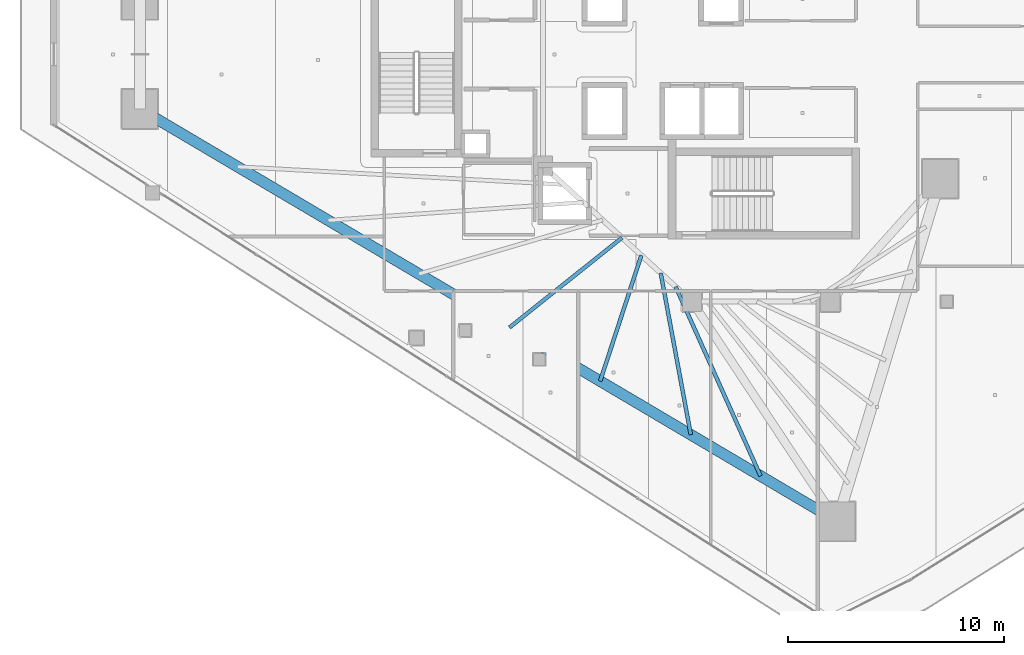
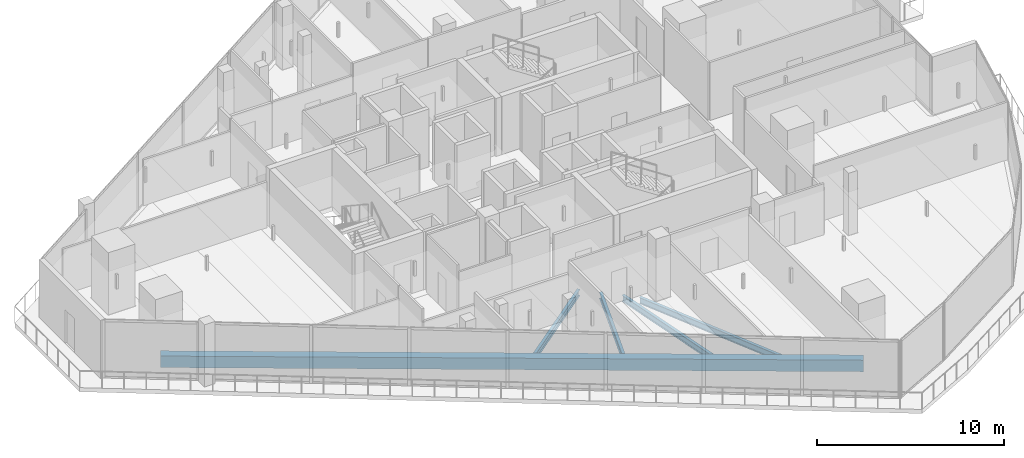
# One storey, part 5 of 33: 5 beams.
"""IFC4 building model written with IfcOpenShell, lengths in metres."""

from ifc_helpers import new_model, si_unit, direction, frame, origin, origin_2d, place, context, subcontext, project, spatial, rectangle, i_section, extrude, material, material_profile, profile_set, type_object, element, save


model = new_model("IFC4")

# Units and contexts
model_context = context("Model", 3, precision=1e-05, world=origin(), true_north=direction((0.0, 1.0)))
body_context = subcontext(model_context, "Body", "Model", "MODEL_VIEW")
ifc_project = project(units=[si_unit("LENGTHUNIT", "METRE"), si_unit("AREAUNIT", "SQUARE_METRE"), si_unit("VOLUMEUNIT", "CUBIC_METRE"), si_unit("PLANEANGLEUNIT", "RADIAN"), si_unit("MASSUNIT", "GRAM", prefix="KILO")], contexts=[model_context])

# Site, building, storey
site_placement = place(None, origin())
site = spatial("IfcSite", under=ifc_project, at=site_placement, CompositionType="ELEMENT")
building_placement = place(site_placement, origin())
building = spatial("IfcBuilding", under=site, at=building_placement, Name="Qorvath Tower", CompositionType="ELEMENT")
storey_placement = place(building_placement, frame((0.0, 0.0, 237.449951171875)))
storey = spatial("IfcBuildingStorey", under=building, at=storey_placement, Name="L55", CompositionType="ELEMENT", Elevation=237.449951171875)

# Beams
ifc_material_1 = material(Name="Steel ASTM A992 Grade 50", Category="steel")
ifc_material_profile_1 = material_profile(ifc_material_1, i_section(OverallWidth=0.177978515625, OverallDepth=0.406005859375, WebThickness=0.0078125, FlangeThickness=0.0126953125, FilletRadius=0.010986328125, at=origin_2d()), Name="W16x40")
ifc_profile_set_1 = profile_set([ifc_material_profile_1], Name="Steel ASTM A992 Grade 50")
beam_type_1 = type_object("IfcBeamType", Name="BM-FJ3", PredefinedType="JOIST", material=ifc_profile_set_1)
beam_1_placement = place(storey_placement, frame((-26.843017578125, -8.489013671875, -0.47314453125), z_axis=(-0.781336553339, -0.624109918537, 0.0), x_axis=(0.624109918537, -0.781336553339, 0.0)))
element("IfcBeam", 1, at=beam_1_placement, inside=storey, type_object=beam_type_1, Name="Composite Floor Joist SW4 L55", PredefinedType="JOIST", context=body_context, shape_type="SweptSolid", body=[
    extrude(i_section(OverallWidth=0.177978515625, OverallDepth=0.406005859375, WebThickness=0.0078125, FlangeThickness=0.0126953125, FilletRadius=0.010986328125, at=origin_2d()), origin(), (0.0, 0.0, 1.0), 6.667724609375),
])
beam_2_placement = place(storey_placement, frame((-25.946044921875, -9.30810546875, -0.47314453125), z_axis=(-0.311228747452, -0.950335028692, 0.0), x_axis=(0.950335028692, -0.311228747452, 0.0)))
element("IfcBeam", 2, at=beam_2_placement, inside=storey, type_object=beam_type_1, Name="Composite Floor Joist SW5 L55", PredefinedType="JOIST", context=body_context, shape_type="SweptSolid", body=[
    extrude(i_section(OverallWidth=0.177978515625, OverallDepth=0.406005859375, WebThickness=0.0078125, FlangeThickness=0.0126953125, FilletRadius=0.010986328125, at=origin_2d()), origin(), (0.0, 0.0, 1.0), 6.129638671875),
])
beam_3_placement = place(storey_placement, frame((-25.049072265625, -10.126953125, -0.47314453125), z_axis=(0.183026775988, -0.983107928598, 0.0), x_axis=(0.983107928598, 0.183026775988, 0.0)))
element("IfcBeam", 3, at=beam_3_placement, inside=storey, type_object=beam_type_1, Name="Composite Floor Joist SW6 L55", PredefinedType="JOIST", context=body_context, shape_type="SweptSolid", body=[
    extrude(i_section(OverallWidth=0.177978515625, OverallDepth=0.406005859375, WebThickness=0.0078125, FlangeThickness=0.0126953125, FilletRadius=0.010986328125, at=origin_2d()), origin(), (0.0, 0.0, 1.0), 7.617919921875),
])
beam_4_placement = place(storey_placement, frame((-24.35888671875, -10.757080078125, -0.47314453125), z_axis=(0.409327209141, -0.912387656568, 0.0), x_axis=(0.912387656568, 0.409327209141, 0.0)))
element("IfcBeam", 4, at=beam_4_placement, inside=storey, type_object=beam_type_1, Name="Composite Floor Joist SW7 L55", PredefinedType="JOIST", context=body_context, shape_type="SweptSolid", body=[
    extrude(i_section(OverallWidth=0.177978515625, OverallDepth=0.406005859375, WebThickness=0.0078125, FlangeThickness=0.0126953125, FilletRadius=0.010986328125, at=origin_2d()), origin(), (0.0, 0.0, 1.0), 9.611083984375),
])
ifc_material_2 = material(Name="Concrete C45/55", Category="concrete")
ifc_material_profile_2 = material_profile(ifc_material_2, rectangle(XDim=0.5, YDim=0.75, at=origin_2d()), Name="RCB 750x500")
ifc_profile_set_2 = profile_set([ifc_material_profile_2], Name="Concrete C45/55")
beam_type_2 = type_object("IfcBeamType", Name="BM-RCB3", PredefinedType="SPANDREL", material=ifc_profile_set_2)
beam_5_placement = place(storey_placement, frame((-49.171875, -2.52783203125, -0.64501953125), z_axis=(0.860776759786, -0.50898268125, 0.0), x_axis=(0.50898268125, 0.860776759786, 0.0)))
element("IfcBeam", 5, at=beam_5_placement, inside=storey, type_object=beam_type_2, Name="Perimeter Loggia Frame Beam MC2-MC3 L55", PredefinedType="SPANDREL", context=body_context, shape_type="SweptSolid", body=[
    extrude(rectangle(XDim=0.5, YDim=0.75, at=origin_2d()), origin(), (0.0, 0.0, 1.0), 37.524658203125),
])

save(model, "model.ifc")
